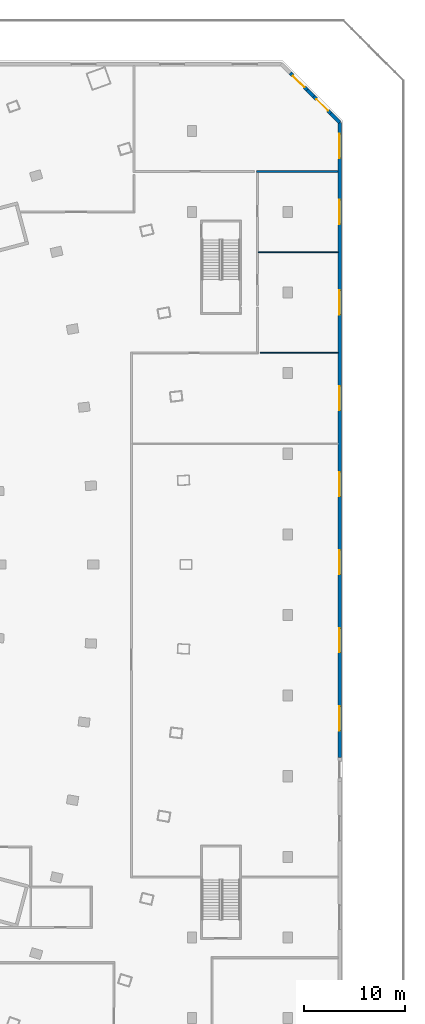
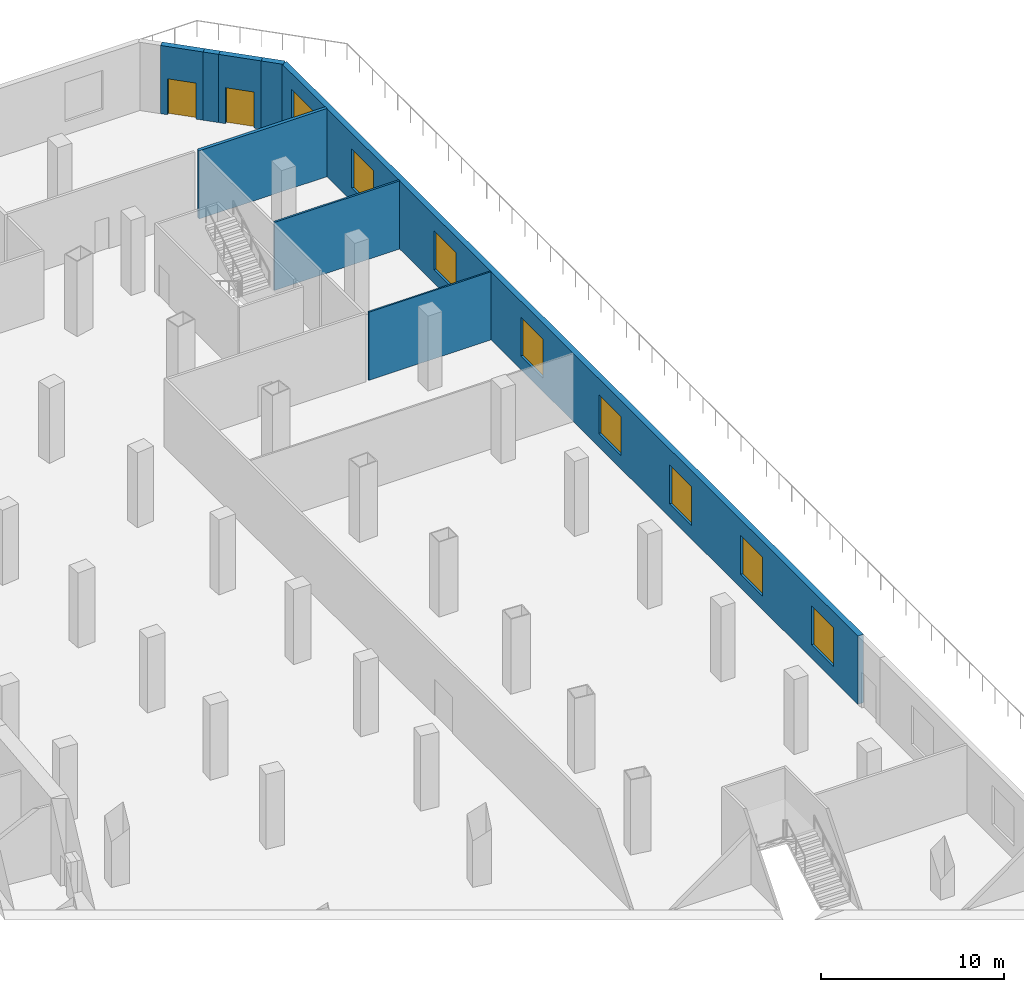
# One storey, part 9 of 15: 8 walls, 8 windows, 2 doors, 10 openings.
"""IFC4 building model written with IfcOpenShell, lengths in metres."""

from ifc_helpers import new_model, si_unit, direction, frame, frame_2d, origin, place, context, subcontext, project, spatial, rectangle, extrude, material, layer, layer_set, type_object, element, fill, save


model = new_model("IFC4")

# Units and contexts
model_context = context("Model", 3, precision=1e-05, world=origin(), true_north=direction((0.0, 1.0)))
body_context = subcontext(model_context, "Body", "Model", "MODEL_VIEW")
ifc_project = project(units=[si_unit("LENGTHUNIT", "METRE"), si_unit("AREAUNIT", "SQUARE_METRE"), si_unit("VOLUMEUNIT", "CUBIC_METRE"), si_unit("PLANEANGLEUNIT", "RADIAN"), si_unit("MASSUNIT", "GRAM", prefix="KILO")], contexts=[model_context])

# Site, building, storey
site_placement = place(None, origin())
site = spatial("IfcSite", under=ifc_project, at=site_placement, CompositionType="ELEMENT")
building_placement = place(site_placement, origin())
building = spatial("IfcBuilding", under=site, at=building_placement, Name="Alderwake Tower", CompositionType="ELEMENT")
storey_placement = place(building_placement, frame((0.0, 0.0, 13.5)))
storey = spatial("IfcBuildingStorey", under=building, at=storey_placement, Name="L02", CompositionType="ELEMENT", Elevation=13.5)

# Wall, openings, windows
ifc_material_1 = material(Name="Precast concrete C50/60 spandrel panel", Category="concrete")
ifc_layer_1 = layer(ifc_material_1, 0.35009765625)
ifc_layer_set_1 = layer_set([ifc_layer_1], Name="External wall EW4 Precast concrete C50/60 podium")
wall_type_1 = type_object("IfcWallType", Name="External wall EW4 Precast concrete C50/60 podium", PredefinedType="SOLIDWALL", material=ifc_layer_set_1)
wall_1_placement = place(storey_placement, frame((78.64990234375, 41.862548828125, 0.0), z_axis=(0.0, 0.0, 1.0), x_axis=(0.0, 1.0, 0.0)))
wall_1 = element("IfcWall", 1, at=wall_1_placement, inside=storey, type_object=wall_type_1, Name="External wall 13", PredefinedType="SOLIDWALL", context=body_context, shape_type="SweptSolid", body=[
    extrude(rectangle(XDim=63.007568359375, YDim=0.35009765625, at=frame_2d((31.50390625, 0.0))), origin(), (0.0, 0.0, 1.0), 4.550048828125),
])
opening_1_placement = place(wall_1_placement, frame((2.67333984375, 0.0, 0.89990234375)))
opening_1 = element("IfcOpeningElement", 2, at=opening_1_placement, cuts=wall_1, Name="Opening W6", PredefinedType="OPENING", context=body_context, shape_type="SweptSolid", body=[
    extrude(rectangle(XDim=2.39990234375, YDim=2.60009765625, at=frame_2d((1.199951171875, 1.300048828125))), frame((0.0, 0.18505859375, 0.0), z_axis=(0.0, -1.0, 0.0), x_axis=(1.0, 0.0, 0.0)), (0.0, 0.0, 1.0), 0.3701171875),
])
opening_2_placement = place(wall_1_placement, frame((10.419921875, 0.0, 0.89990234375)))
opening_2 = element("IfcOpeningElement", 3, at=opening_2_placement, cuts=wall_1, Name="Opening W6", PredefinedType="OPENING", context=body_context, shape_type="SweptSolid", body=[
    extrude(rectangle(XDim=2.39990234375, YDim=2.60009765625, at=frame_2d((1.199951171875, 1.300048828125))), frame((0.0, 0.18505859375, 0.0), z_axis=(0.0, -1.0, 0.0), x_axis=(1.0, 0.0, 0.0)), (0.0, 0.0, 1.0), 0.3701171875),
])
opening_3_placement = place(wall_1_placement, frame((18.16650390625, 0.0, 0.89990234375)))
opening_3 = element("IfcOpeningElement", 4, at=opening_3_placement, cuts=wall_1, Name="Opening W6", PredefinedType="OPENING", context=body_context, shape_type="SweptSolid", body=[
    extrude(rectangle(XDim=2.39990234375, YDim=2.60009765625, at=frame_2d((1.199951171875, 1.300048828125))), frame((0.0, 0.18505859375, 0.0), z_axis=(0.0, -1.0, 0.0), x_axis=(1.0, 0.0, 0.0)), (0.0, 0.0, 1.0), 0.3701171875),
])
opening_4_placement = place(wall_1_placement, frame((25.9130859375, 0.0, 0.89990234375)))
opening_4 = element("IfcOpeningElement", 5, at=opening_4_placement, cuts=wall_1, Name="Opening W6", PredefinedType="OPENING", context=body_context, shape_type="SweptSolid", body=[
    extrude(rectangle(XDim=2.39990234375, YDim=2.60009765625, at=frame_2d((1.199951171875, 1.300048828125))), frame((0.0, 0.18505859375, 0.0), z_axis=(0.0, -1.0, 0.0), x_axis=(1.0, 0.0, 0.0)), (0.0, 0.0, 1.0), 0.3701171875),
])
opening_5_placement = place(wall_1_placement, frame((34.4365234375, 0.0, 0.89990234375)))
opening_5 = element("IfcOpeningElement", 6, at=opening_5_placement, cuts=wall_1, Name="Opening W6", PredefinedType="OPENING", context=body_context, shape_type="SweptSolid", body=[
    extrude(rectangle(XDim=2.39990234375, YDim=2.60009765625, at=frame_2d((1.199951171875, 1.300048828125))), frame((0.0, 0.18505859375, 0.0), z_axis=(0.0, -1.0, 0.0), x_axis=(1.0, 0.0, 0.0)), (0.0, 0.0, 1.0), 0.3701171875),
])
opening_6_placement = place(wall_1_placement, frame((43.9326171875, 0.0, 0.89990234375)))
opening_6 = element("IfcOpeningElement", 7, at=opening_6_placement, cuts=wall_1, Name="Opening W6", PredefinedType="OPENING", context=body_context, shape_type="SweptSolid", body=[
    extrude(rectangle(XDim=2.39990234375, YDim=2.60009765625, at=frame_2d((1.199951171875, 1.300048828125))), frame((0.0, 0.18505859375, 0.0), z_axis=(0.0, -1.0, 0.0), x_axis=(1.0, 0.0, 0.0)), (0.0, 0.0, 1.0), 0.3701171875),
])
opening_7_placement = place(wall_1_placement, frame((52.91748046875, 0.0, 0.89990234375)))
opening_7 = element("IfcOpeningElement", 8, at=opening_7_placement, cuts=wall_1, Name="Opening W6", PredefinedType="OPENING", context=body_context, shape_type="SweptSolid", body=[
    extrude(rectangle(XDim=2.39990234375, YDim=2.60009765625, at=frame_2d((1.199951171875, 1.300048828125))), frame((0.0, 0.18505859375, 0.0), z_axis=(0.0, -1.0, 0.0), x_axis=(1.0, 0.0, 0.0)), (0.0, 0.0, 1.0), 0.3701171875),
])
opening_8_placement = place(wall_1_placement, frame((59.471923828125, 0.0, 0.89990234375)))
opening_8 = element("IfcOpeningElement", 9, at=opening_8_placement, cuts=wall_1, Name="Opening W6", PredefinedType="OPENING", context=body_context, shape_type="SweptSolid", body=[
    extrude(rectangle(XDim=2.39990234375, YDim=2.60009765625, at=frame_2d((1.199951171875, 1.300048828125))), frame((0.0, 0.18505859375, 0.0), z_axis=(0.0, -1.0, 0.0), x_axis=(1.0, 0.0, 0.0)), (0.0, 0.0, 1.0), 0.3701171875),
])
ifc_material_2 = material(Name="Bronze tinted glass in aluminium frame", Category="aluminium")
window_type = type_object("IfcWindowType", Name="Window W6 podium", PartitioningType="DOUBLE_PANEL_VERTICAL", PredefinedType="WINDOW", material=ifc_material_2)
window_1_placement = place(opening_1_placement, origin())
window_1 = element("IfcWindow", 10, at=window_1_placement, inside=storey, type_object=window_type, Name="Window W6 podium", OverallHeight=2.60009765625, OverallWidth=2.39990234375, PartitioningType="DOUBLE_PANEL_VERTICAL", PredefinedType="WINDOW", context=body_context, shape_type="SweptSolid", body=[
    extrude(rectangle(XDim=2.39990234375, YDim=2.60009765625, at=frame_2d((1.199951171875, 1.300048828125))), frame((0.0, 0.030029296875, 0.0), z_axis=(0.0, -1.0, 0.0), x_axis=(1.0, 0.0, 0.0)), (0.0, 0.0, 1.0), 0.06005859375),
])
fill(opening_1, window_1)
window_2_placement = place(opening_2_placement, origin())
window_2 = element("IfcWindow", 11, at=window_2_placement, inside=storey, type_object=window_type, Name="Window W6 podium", OverallHeight=2.60009765625, OverallWidth=2.39990234375, PartitioningType="DOUBLE_PANEL_VERTICAL", PredefinedType="WINDOW", context=body_context, shape_type="SweptSolid", body=[
    extrude(rectangle(XDim=2.39990234375, YDim=2.60009765625, at=frame_2d((1.199951171875, 1.300048828125))), frame((0.0, 0.030029296875, 0.0), z_axis=(0.0, -1.0, 0.0), x_axis=(1.0, 0.0, 0.0)), (0.0, 0.0, 1.0), 0.06005859375),
])
fill(opening_2, window_2)
window_3_placement = place(opening_3_placement, origin())
window_3 = element("IfcWindow", 12, at=window_3_placement, inside=storey, type_object=window_type, Name="Window W6 podium", OverallHeight=2.60009765625, OverallWidth=2.39990234375, PartitioningType="DOUBLE_PANEL_VERTICAL", PredefinedType="WINDOW", context=body_context, shape_type="SweptSolid", body=[
    extrude(rectangle(XDim=2.39990234375, YDim=2.60009765625, at=frame_2d((1.199951171875, 1.300048828125))), frame((0.0, 0.030029296875, 0.0), z_axis=(0.0, -1.0, 0.0), x_axis=(1.0, 0.0, 0.0)), (0.0, 0.0, 1.0), 0.06005859375),
])
fill(opening_3, window_3)
window_4_placement = place(opening_4_placement, origin())
window_4 = element("IfcWindow", 13, at=window_4_placement, inside=storey, type_object=window_type, Name="Window W6 podium", OverallHeight=2.60009765625, OverallWidth=2.39990234375, PartitioningType="DOUBLE_PANEL_VERTICAL", PredefinedType="WINDOW", context=body_context, shape_type="SweptSolid", body=[
    extrude(rectangle(XDim=2.39990234375, YDim=2.60009765625, at=frame_2d((1.199951171875, 1.300048828125))), frame((0.0, 0.030029296875, 0.0), z_axis=(0.0, -1.0, 0.0), x_axis=(1.0, 0.0, 0.0)), (0.0, 0.0, 1.0), 0.06005859375),
])
fill(opening_4, window_4)
window_5_placement = place(opening_5_placement, origin())
window_5 = element("IfcWindow", 14, at=window_5_placement, inside=storey, type_object=window_type, Name="Window W6 podium", OverallHeight=2.60009765625, OverallWidth=2.39990234375, PartitioningType="DOUBLE_PANEL_VERTICAL", PredefinedType="WINDOW", context=body_context, shape_type="SweptSolid", body=[
    extrude(rectangle(XDim=2.39990234375, YDim=2.60009765625, at=frame_2d((1.199951171875, 1.300048828125))), frame((0.0, 0.030029296875, 0.0), z_axis=(0.0, -1.0, 0.0), x_axis=(1.0, 0.0, 0.0)), (0.0, 0.0, 1.0), 0.06005859375),
])
fill(opening_5, window_5)
window_6_placement = place(opening_6_placement, origin())
window_6 = element("IfcWindow", 15, at=window_6_placement, inside=storey, type_object=window_type, Name="Window W6 podium", OverallHeight=2.60009765625, OverallWidth=2.39990234375, PartitioningType="DOUBLE_PANEL_VERTICAL", PredefinedType="WINDOW", context=body_context, shape_type="SweptSolid", body=[
    extrude(rectangle(XDim=2.39990234375, YDim=2.60009765625, at=frame_2d((1.199951171875, 1.300048828125))), frame((0.0, 0.030029296875, 0.0), z_axis=(0.0, -1.0, 0.0), x_axis=(1.0, 0.0, 0.0)), (0.0, 0.0, 1.0), 0.06005859375),
])
fill(opening_6, window_6)
window_7_placement = place(opening_7_placement, origin())
window_7 = element("IfcWindow", 16, at=window_7_placement, inside=storey, type_object=window_type, Name="Window W6 podium", OverallHeight=2.60009765625, OverallWidth=2.39990234375, PartitioningType="DOUBLE_PANEL_VERTICAL", PredefinedType="WINDOW", context=body_context, shape_type="SweptSolid", body=[
    extrude(rectangle(XDim=2.39990234375, YDim=2.60009765625, at=frame_2d((1.199951171875, 1.300048828125))), frame((0.0, 0.030029296875, 0.0), z_axis=(0.0, -1.0, 0.0), x_axis=(1.0, 0.0, 0.0)), (0.0, 0.0, 1.0), 0.06005859375),
])
fill(opening_7, window_7)
window_8_placement = place(opening_8_placement, origin())
window_8 = element("IfcWindow", 17, at=window_8_placement, inside=storey, type_object=window_type, Name="Window W6 podium", OverallHeight=2.60009765625, OverallWidth=2.39990234375, PartitioningType="DOUBLE_PANEL_VERTICAL", PredefinedType="WINDOW", context=body_context, shape_type="SweptSolid", body=[
    extrude(rectangle(XDim=2.39990234375, YDim=2.60009765625, at=frame_2d((1.199951171875, 1.300048828125))), frame((0.0, 0.030029296875, 0.0), z_axis=(0.0, -1.0, 0.0), x_axis=(1.0, 0.0, 0.0)), (0.0, 0.0, 1.0), 0.06005859375),
])
fill(opening_8, window_8)

# Wall
wall_2_placement = place(storey_placement, frame((78.64990234375, 104.85498046875, 0.0), z_axis=(0.0, 0.0, 1.0), x_axis=(-0.707010135691, 0.707203413475, 0.0)))
element("IfcWall", 18, at=wall_2_placement, inside=storey, type_object=wall_type_1, Name="External wall 14", PredefinedType="SOLIDWALL", context=body_context, shape_type="SweptSolid", body=[
    extrude(rectangle(XDim=1.26318359375, YDim=0.35009765625, at=frame_2d((0.631591796875, 0.0))), origin(), (0.0, 0.0, 1.0), 4.550048828125),
])

# Wall, opening, door
wall_3_placement = place(storey_placement, frame((77.7568359375, 105.748291015625, 0.0), z_axis=(0.0, 0.0, 1.0), x_axis=(-0.707106781187, 0.707106781187, 0.0)))
wall_3 = element("IfcWall", 19, at=wall_3_placement, inside=storey, type_object=wall_type_1, Name="External wall 15", PredefinedType="SOLIDWALL", context=body_context, shape_type="SweptSolid", body=[
    extrude(rectangle(XDim=2.39990234375, YDim=0.35009765625, at=frame_2d((1.199951171875, 0.0))), origin(), (0.0, 0.0, 1.0), 4.550048828125),
])
opening_9_placement = place(wall_3_placement, frame((0.39990234375, 0.0, 0.0)))
opening_9 = element("IfcOpeningElement", 20, at=opening_9_placement, cuts=wall_3, Name="Opening D06", PredefinedType="OPENING", context=body_context, shape_type="SweptSolid", body=[
    extrude(rectangle(XDim=1.60009765625, YDim=2.39990234375, at=frame_2d((0.800048828125, 1.199951171875))), frame((0.0, 0.18505859375, 0.0), z_axis=(0.0, -1.0, 0.0), x_axis=(1.0, 0.0, 0.0)), (0.0, 0.0, 1.0), 0.3701171875),
])
ifc_material_3 = material(Name="Bronze tinted glass in aluminium frame", Category="aluminium")
door_type = type_object("IfcDoorType", Name="Terrace door TD sliding", OperationType="SLIDING_TO_LEFT", PredefinedType="DOOR", material=ifc_material_3)
door_1_placement = place(opening_9_placement, origin())
door_1 = element("IfcDoor", 21, at=door_1_placement, inside=storey, type_object=door_type, Name="Door D06", OperationType="SLIDING_TO_LEFT", OverallHeight=2.39990234375, OverallWidth=1.60009765625, PredefinedType="DOOR", context=body_context, shape_type="SweptSolid", body=[
    extrude(rectangle(XDim=1.60009765625, YDim=2.39990234375, at=frame_2d((0.800048828125, 1.199951171875))), frame((0.0, 0.02490234375, 0.0), z_axis=(0.0, -1.0, 0.0), x_axis=(1.0, 0.0, 0.0)), (0.0, 0.0, 1.0), 0.050048828125),
])
fill(opening_9, door_1)

# Wall
wall_4_placement = place(storey_placement, frame((76.059814453125, 107.4453125, 0.0), z_axis=(0.0, 0.0, 1.0), x_axis=(-0.707244847527, 0.706968687883, 0.0)))
element("IfcWall", 22, at=wall_4_placement, inside=storey, type_object=wall_type_1, Name="External wall 16", PredefinedType="SOLIDWALL", context=body_context, shape_type="SweptSolid", body=[
    extrude(rectangle(XDim=0.884033203125, YDim=0.35009765625, at=frame_2d((0.44189453125, 0.0))), origin(), (0.0, 0.0, 1.0), 4.550048828125),
])

# Wall, opening, door
wall_5_placement = place(storey_placement, frame((75.4345703125, 108.0703125, 0.0), z_axis=(0.0, 0.0, 1.0), x_axis=(-0.707055919343, 0.707157639372, 0.0)))
wall_5 = element("IfcWall", 23, at=wall_5_placement, inside=storey, type_object=wall_type_1, Name="External wall 17", PredefinedType="SOLIDWALL", context=body_context, shape_type="SweptSolid", body=[
    extrude(rectangle(XDim=2.400146484375, YDim=0.35009765625, at=frame_2d((1.2001953125, 0.0))), origin(), (0.0, 0.0, 1.0), 4.550048828125),
])
opening_10_placement = place(wall_5_placement, frame((0.39990234375, 0.0, 0.0)))
opening_10 = element("IfcOpeningElement", 24, at=opening_10_placement, cuts=wall_5, Name="Opening D07", PredefinedType="OPENING", context=body_context, shape_type="SweptSolid", body=[
    extrude(rectangle(XDim=1.60009765625, YDim=2.39990234375, at=frame_2d((0.800048828125, 1.199951171875))), frame((0.0, 0.18505859375, 0.0), z_axis=(0.0, -1.0, 0.0), x_axis=(1.0, 0.0, 0.0)), (0.0, 0.0, 1.0), 0.3701171875),
])
door_2_placement = place(opening_10_placement, origin())
door_2 = element("IfcDoor", 25, at=door_2_placement, inside=storey, type_object=door_type, Name="Door D07", OperationType="SLIDING_TO_LEFT", OverallHeight=2.39990234375, OverallWidth=1.60009765625, PredefinedType="DOOR", context=body_context, shape_type="SweptSolid", body=[
    extrude(rectangle(XDim=1.60009765625, YDim=2.39990234375, at=frame_2d((0.800048828125, 1.199951171875))), frame((0.0, 0.02490234375, 0.0), z_axis=(0.0, -1.0, 0.0), x_axis=(1.0, 0.0, 0.0)), (0.0, 0.0, 1.0), 0.050048828125),
])
fill(opening_10, door_2)

# Walls
ifc_material_4 = material(Name="Dense block masonry wall", Category="masonry")
ifc_layer_2 = layer(ifc_material_4, 0.199951171875)
ifc_layer_set_2 = layer_set([ifc_layer_2], Name="Party wall 200")
wall_type_2 = type_object("IfcWallType", Name="Party wall 200", PredefinedType="SOLIDWALL", material=ifc_layer_set_2)
wall_6_placement = place(storey_placement, frame((78.5009765625, 99.9990234375, 0.0), z_axis=(0.0, 0.0, 1.0), x_axis=(-1.0, 0.0, 0.0)))
element("IfcWall", 26, at=wall_6_placement, inside=storey, type_object=wall_type_2, Name="WL/L02/W03", PredefinedType="SOLIDWALL", context=body_context, shape_type="SweptSolid", body=[
    extrude(rectangle(XDim=8.0810546875, YDim=0.199951171875, at=frame_2d((4.04052734375, 0.0))), origin(), (0.0, 0.0, 1.0), 4.550048828125),
])
ifc_material_5 = material(Name="Gypsum board on metal studs")
ifc_layer_3 = layer(ifc_material_5, 0.10009765625)
ifc_layer_set_3 = layer_set([ifc_layer_3], Name="Unit partition 100")
wall_type_3 = type_object("IfcWallType", Name="Unit partition 100", PredefinedType="PARTITIONING", material=ifc_layer_set_3)
wall_7_placement = place(storey_placement, frame((78.5009765625, 81.9990234375, 0.0), z_axis=(0.0, 0.0, 1.0), x_axis=(-1.0, 0.0, 0.0)))
element("IfcWall", 27, at=wall_7_placement, inside=storey, type_object=wall_type_3, Name="WL/L02/W66", PredefinedType="PARTITIONING", context=body_context, shape_type="SweptSolid", body=[
    extrude(rectangle(XDim=7.734375, YDim=0.10009765625, at=frame_2d((3.8671875, 0.0))), origin(), (0.0, 0.0, 1.0), 4.550048828125),
])
ifc_material_6 = material(Name="Moisture resistant gypsum board on metal studs")
ifc_layer_4 = layer(ifc_material_6, 0.1201171875)
ifc_layer_set_4 = layer_set([ifc_layer_4], Name="Wet room partition 120")
wall_type_4 = type_object("IfcWallType", Name="Wet room partition 120", PredefinedType="PARTITIONING", material=ifc_layer_set_4)
wall_8_placement = place(storey_placement, frame((78.5009765625, 92.0009765625, 0.0), z_axis=(0.0, 0.0, 1.0), x_axis=(-1.0, 0.0, 0.0)))
element("IfcWall", 28, at=wall_8_placement, inside=storey, type_object=wall_type_4, Name="WL/L02/W61", PredefinedType="PARTITIONING", context=body_context, shape_type="SweptSolid", body=[
    extrude(rectangle(XDim=7.9208984375, YDim=0.1201171875, at=frame_2d((3.96044921875, 0.0))), origin(), (0.0, 0.0, 1.0), 4.550048828125),
])

save(model, "model.ifc")
